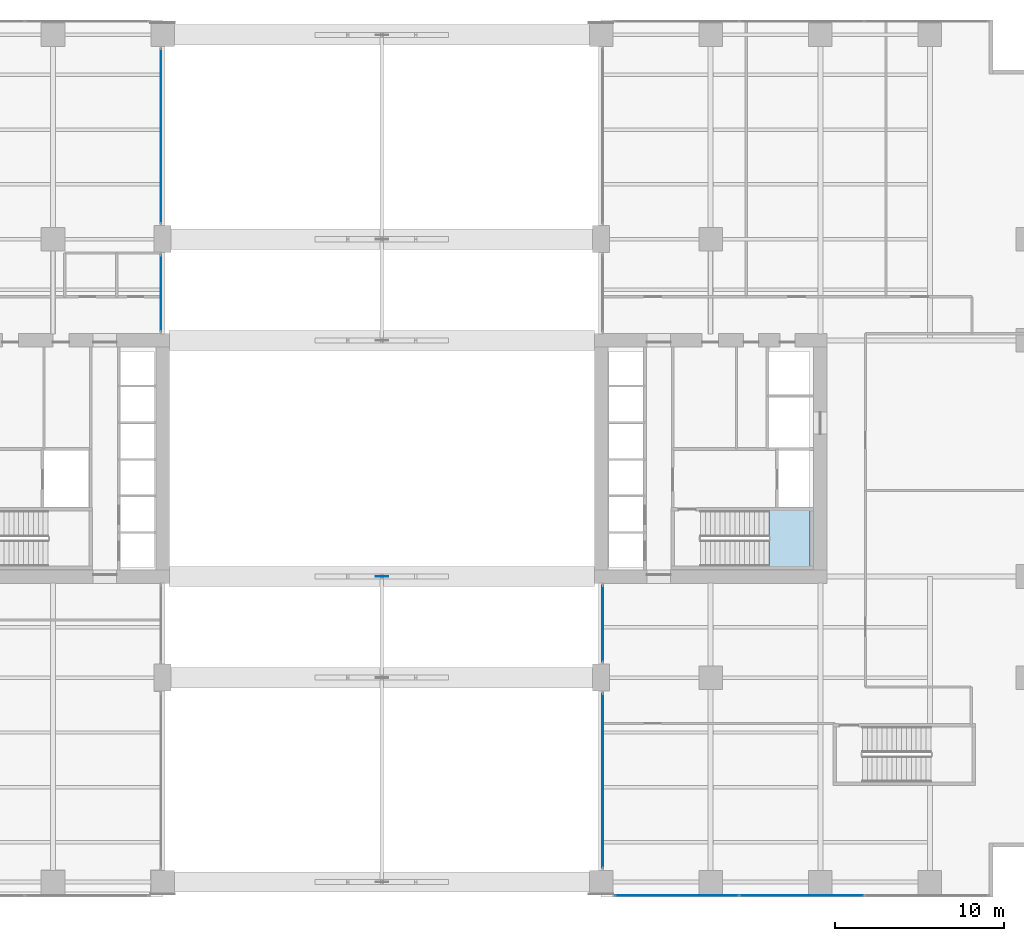
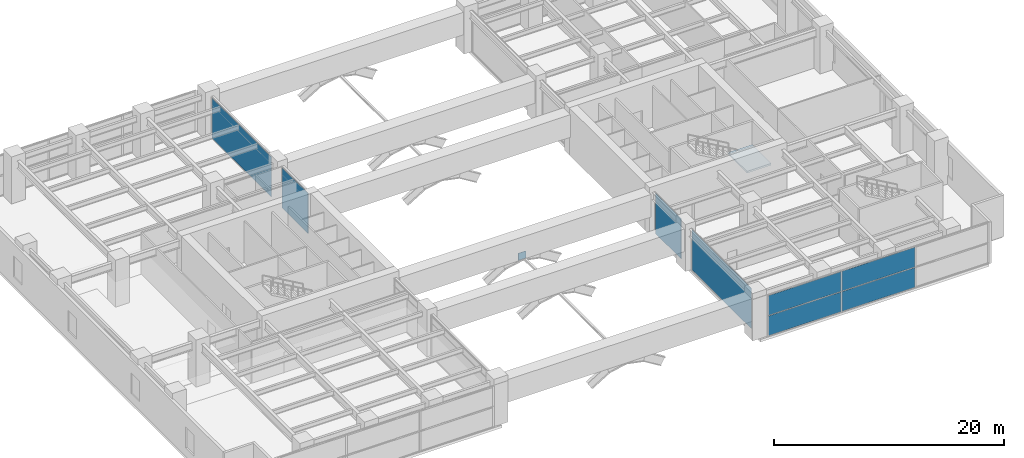
# One storey, part 13 of 23: 9 plates, 1 slab, 6 elements without a shape of their own.
"""IFC4 building model written with IfcOpenShell, lengths in metres."""

from ifc_helpers import new_model, si_unit, direction, frame, origin, origin_2d, place, context, subcontext, project, spatial, polyline, rectangle, outline, extrude, material, layer, layer_set, type_object, element, aggregate, save


model = new_model("IFC4")

# Units and contexts
model_context = context("Model", 3, precision=1e-05, world=origin(), true_north=direction((0.0, 1.0)))
body_context = subcontext(model_context, "Body", "Model", "MODEL_VIEW")
ifc_project = project(units=[si_unit("LENGTHUNIT", "METRE"), si_unit("AREAUNIT", "SQUARE_METRE"), si_unit("VOLUMEUNIT", "CUBIC_METRE"), si_unit("PLANEANGLEUNIT", "RADIAN"), si_unit("MASSUNIT", "GRAM", prefix="KILO")], contexts=[model_context])

# Site, building, storey
site_placement = place(None, origin())
site = spatial("IfcSite", under=ifc_project, at=site_placement, CompositionType="ELEMENT")
building_placement = place(site_placement, origin())
building = spatial("IfcBuilding", under=site, at=building_placement, Name="Putna Gate Headquarters", CompositionType="ELEMENT")
storey_placement = place(building_placement, frame((0.0, 0.0, 17.0)))
storey = spatial("IfcBuildingStorey", under=building, at=storey_placement, Name="L03", CompositionType="ELEMENT", Elevation=17.0)

# Stair, slab
ifc_material_1 = material(Name="Concrete C40/50", Category="concrete")
stair_type = type_object("IfcStairType", Name="STAIR-ST2", PredefinedType="HALF_TURN_STAIR", material=ifc_material_1)
stair_placement = place(storey_placement, origin())
stair = element("IfcStair", 1, at=stair_placement, inside=storey, type_object=stair_type, Name="L03 East Core Exit Stair ST2", PredefinedType="HALF_TURN_STAIR")
ifc_layer_1 = layer(ifc_material_1, 0.199951171875)
ifc_layer_set_1 = layer_set([ifc_layer_1], Name="Concrete C40/50")
slab_type = type_object("IfcSlabType", Name="LANDING-ST2", PredefinedType="LANDING", material=ifc_layer_set_1)
slab_placement = place(storey_placement, frame((0.0, 0.0, 2.300048828125)))
slab = element("IfcSlab", 2, at=slab_placement, type_object=slab_type, Name="ST2 landing 1", PredefinedType="LANDING", context=body_context, shape_type="SweptSolid", body=[
    extrude(outline(polyline([(61.9599609375, 19.60009765625), (64.39990234375, 19.60009765625), (64.39990234375, 22.89990234375), (61.9599609375, 22.89990234375), (61.9599609375, 19.60009765625)])), origin(), (0.0, 0.0, 1.0), 0.199951171875),
])
aggregate(stair, [slab])

# Curtain wall, plate
ifc_material_2 = material(Name="Anodised bronze aluminium curtain wall", Category="aluminium")
ifc_layer_2 = layer(ifc_material_2, 0.179931640625)
ifc_layer_set_2 = layer_set([ifc_layer_2], Name="Anodised bronze aluminium curtain wall")
curtain_wall_type_1 = type_object("IfcCurtainWallType", Name="CW-SYS-ATR", PredefinedType="USERDEFINED", material=ifc_layer_set_2)
curtain_wall_1_placement = place(storey_placement, origin())
curtain_wall_1 = element("IfcCurtainWall", 3, at=curtain_wall_1_placement, inside=storey, type_object=curtain_wall_type_1, Name="L03 Arch Flank Glazing W-N1", ObjectType="ATRIUM GLAZING", PredefinedType="USERDEFINED")
ifc_material_3 = material(Name="Clear low-iron triple glazing", Category="glass")
ifc_layer_3 = layer(ifc_material_3, 0.0400390625)
ifc_layer_set_3 = layer_set([ifc_layer_3], Name="Clear low-iron triple glazing")
plate_type_1 = type_object("IfcPlateType", Name="PAN-CWP-AT", PredefinedType="CURTAIN_PANEL", material=ifc_layer_set_3)
plate_1_placement = place(storey_placement, frame((25.89990234375, 35.800048828125, 0.06982421875), z_axis=(0.0, 0.0, 1.0), x_axis=(0.0, 1.0, 0.0)))
plate_1 = element("IfcPlate", 4, at=plate_1_placement, type_object=plate_type_1, Name="CWS-AT panel 1.1", PredefinedType="CURTAIN_PANEL", context=body_context, shape_type="SweptSolid", body=[
    extrude(rectangle(XDim=4.5, YDim=0.0400390625, at=origin_2d()), origin(), (0.0, 0.0, 1.0), 4.260009765625),
])
aggregate(curtain_wall_1, [plate_1])

curtain_wall_2_placement = place(storey_placement, origin())
curtain_wall_2 = element("IfcCurtainWall", 5, at=curtain_wall_2_placement, inside=storey, type_object=curtain_wall_type_1, Name="L03 Arch Flank Glazing W-N2", ObjectType="ATRIUM GLAZING", PredefinedType="USERDEFINED")
plate_2_placement = place(storey_placement, frame((25.89990234375, 45.114990234375, 0.06982421875), z_axis=(0.0, 0.0, 1.0), x_axis=(0.0, 1.0, 0.0)))
plate_2 = element("IfcPlate", 6, at=plate_2_placement, type_object=plate_type_1, Name="CWS-AT panel 1.1", PredefinedType="CURTAIN_PANEL", context=body_context, shape_type="SweptSolid", body=[
    extrude(rectangle(XDim=10.330078125, YDim=0.0400390625, at=origin_2d()), origin(), (0.0, 0.0, 1.0), 4.260009765625),
])
aggregate(curtain_wall_2, [plate_2])

curtain_wall_3_placement = place(storey_placement, origin())
curtain_wall_3 = element("IfcCurtainWall", 7, at=curtain_wall_3_placement, inside=storey, type_object=curtain_wall_type_1, Name="L03 Arch Flank Glazing E-S1", ObjectType="ATRIUM GLAZING", PredefinedType="USERDEFINED")
plate_3_placement = place(storey_placement, frame((52.10009765625, 6.885009765625, 0.06982421875), z_axis=(0.0, 0.0, 1.0), x_axis=(0.0, 1.0, 0.0)))
plate_3 = element("IfcPlate", 8, at=plate_3_placement, type_object=plate_type_1, Name="CWS-AT panel 1.1", PredefinedType="CURTAIN_PANEL", context=body_context, shape_type="SweptSolid", body=[
    extrude(rectangle(XDim=10.330078125, YDim=0.0400390625, at=origin_2d()), origin(), (0.0, 0.0, 1.0), 4.260009765625),
])
aggregate(curtain_wall_3, [plate_3])

curtain_wall_4_placement = place(storey_placement, origin())
curtain_wall_4 = element("IfcCurtainWall", 9, at=curtain_wall_4_placement, inside=storey, type_object=curtain_wall_type_1, Name="L03 Arch Flank Glazing E-S2", ObjectType="ATRIUM GLAZING", PredefinedType="USERDEFINED")
plate_4_placement = place(storey_placement, frame((52.10009765625, 16.199951171875, 0.06982421875), z_axis=(0.0, 0.0, 1.0), x_axis=(0.0, 1.0, 0.0)))
plate_4 = element("IfcPlate", 10, at=plate_4_placement, type_object=plate_type_1, Name="CWS-AT panel 1.1", PredefinedType="CURTAIN_PANEL", context=body_context, shape_type="SweptSolid", body=[
    extrude(rectangle(XDim=4.5, YDim=0.0400390625, at=origin_2d()), origin(), (0.0, 0.0, 1.0), 4.260009765625),
])
aggregate(curtain_wall_4, [plate_4])

# Curtain wall, plates
ifc_layer_4 = layer(ifc_material_2, 0.179931640625)
ifc_layer_set_4 = layer_set([ifc_layer_4], Name="Anodised bronze aluminium curtain wall")
curtain_wall_type_2 = type_object("IfcCurtainWallType", Name="CW-SYS-POD", PredefinedType="USERDEFINED", material=ifc_layer_set_4)
curtain_wall_5_placement = place(storey_placement, origin())
curtain_wall_5 = element("IfcCurtainWall", 11, at=curtain_wall_5_placement, inside=storey, type_object=curtain_wall_type_2, Name="L03 South East Curtain Wall", ObjectType="STICK CURTAIN WALL", PredefinedType="USERDEFINED")
ifc_material_4 = material(Name="Solar-control triple low-E glass", Category="glass")
ifc_layer_5 = layer(ifc_material_4, 0.035888671875)
ifc_layer_set_5 = layer_set([ifc_layer_5], Name="Solar-control triple low-E glass")
plate_type_2 = type_object("IfcPlateType", Name="PAN-CWP-P", PredefinedType="CURTAIN_PANEL", material=ifc_layer_set_5)
plate_5_placement = place(storey_placement, frame((56.500732421875, 0.080078125, 0.06982421875), z_axis=(0.0, 0.0, 1.0), x_axis=(1.0, 0.0, 0.0)))
plate_5 = element("IfcPlate", 12, at=plate_5_placement, type_object=plate_type_2, Name="CWS-P panel 1.1", PredefinedType="CURTAIN_PANEL", context=body_context, shape_type="SweptSolid", body=[
    extrude(rectangle(XDim=7.3017578125, YDim=0.035888671875, at=origin_2d()), origin(), (0.0, 0.0, 1.0), 2.094970703125),
])
plate_6_placement = place(storey_placement, frame((56.500732421875, 0.080078125, 2.23486328125), z_axis=(0.0, 0.0, 1.0), x_axis=(1.0, 0.0, 0.0)))
plate_6 = element("IfcPlate", 13, at=plate_6_placement, type_object=plate_type_2, Name="CWS-P panel 1.2", PredefinedType="CURTAIN_PANEL", context=body_context, shape_type="SweptSolid", body=[
    extrude(rectangle(XDim=7.3017578125, YDim=0.035888671875, at=origin_2d()), origin(), (0.0, 0.0, 1.0), 2.094970703125),
])
plate_7_placement = place(storey_placement, frame((63.889892578125, 0.080078125, 0.06982421875), z_axis=(0.0, 0.0, 1.0), x_axis=(1.0, 0.0, 0.0)))
plate_7 = element("IfcPlate", 14, at=plate_7_placement, type_object=plate_type_2, Name="CWS-P panel 2.1", PredefinedType="CURTAIN_PANEL", context=body_context, shape_type="SweptSolid", body=[
    extrude(rectangle(XDim=7.336669921875, YDim=0.035888671875, at=origin_2d()), origin(), (0.0, 0.0, 1.0), 2.094970703125),
])
plate_8_placement = place(storey_placement, frame((63.889892578125, 0.080078125, 2.23486328125), z_axis=(0.0, 0.0, 1.0), x_axis=(1.0, 0.0, 0.0)))
plate_8 = element("IfcPlate", 15, at=plate_8_placement, type_object=plate_type_2, Name="CWS-P panel 2.2", PredefinedType="CURTAIN_PANEL", context=body_context, shape_type="SweptSolid", body=[
    extrude(rectangle(XDim=7.336669921875, YDim=0.035888671875, at=origin_2d()), origin(), (0.0, 0.0, 1.0), 2.094970703125),
])
aggregate(curtain_wall_5, [plate_5, plate_6, plate_7, plate_8])

# Plate
ifc_material_5 = material(Name="Steel S460M", Category="steel")
ifc_layer_6 = layer(ifc_material_5, 0.0400390625)
ifc_layer_set_6 = layer_set([ifc_layer_6], Name="Steel S460M")
plate_type_3 = type_object("IfcPlateType", Name="PLT-NODE-AN2-INT", PredefinedType="SHEET", material=ifc_layer_set_6)
plate_9_placement = place(storey_placement, frame((39.0, 19.0, 1.574951171875), z_axis=(0.0, 0.0, 1.0), x_axis=(1.0, 0.0, 0.0)))
element("IfcPlate", 16, at=plate_9_placement, inside=storey, type_object=plate_type_3, Name="Giant Arch Crown Node Plate AN2 AS", PredefinedType="SHEET", context=body_context, shape_type="SweptSolid", body=[
    extrude(rectangle(XDim=0.75, YDim=0.0400390625, at=origin_2d()), origin(), (0.0, 0.0, 1.0), 0.75),
])

save(model, "model.ifc")
